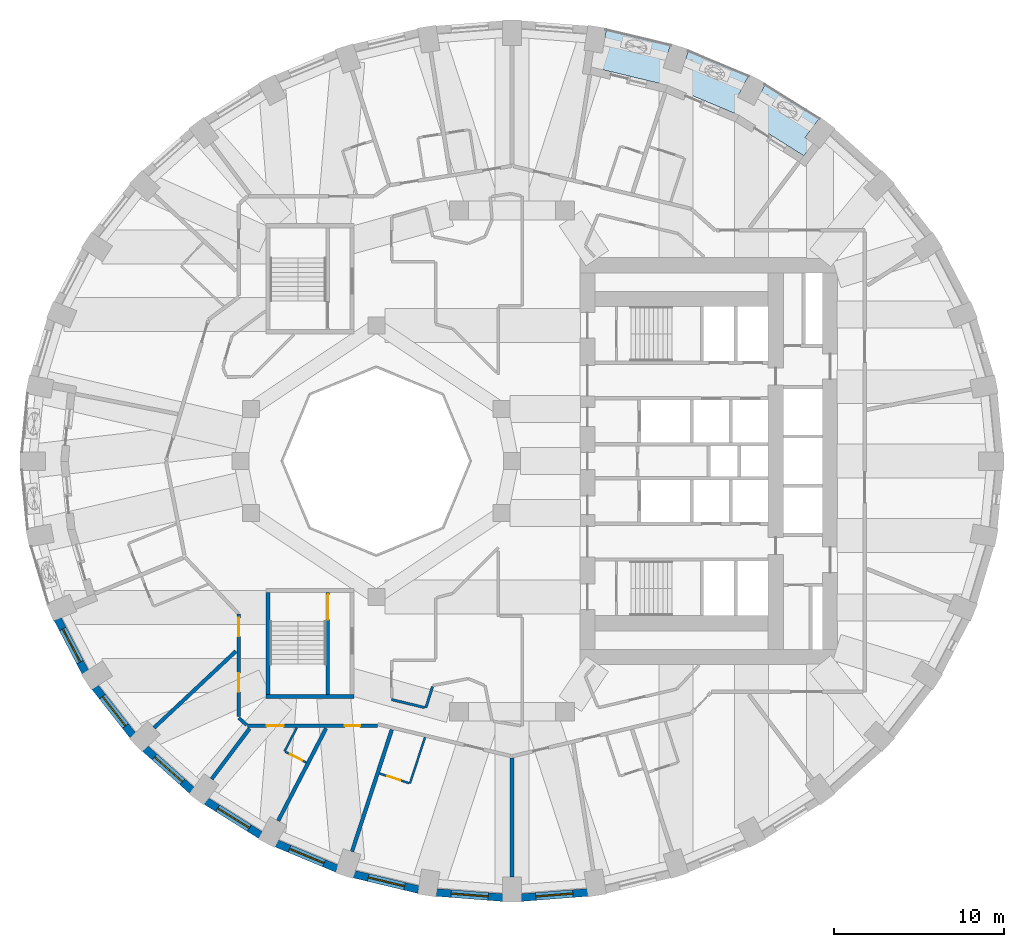
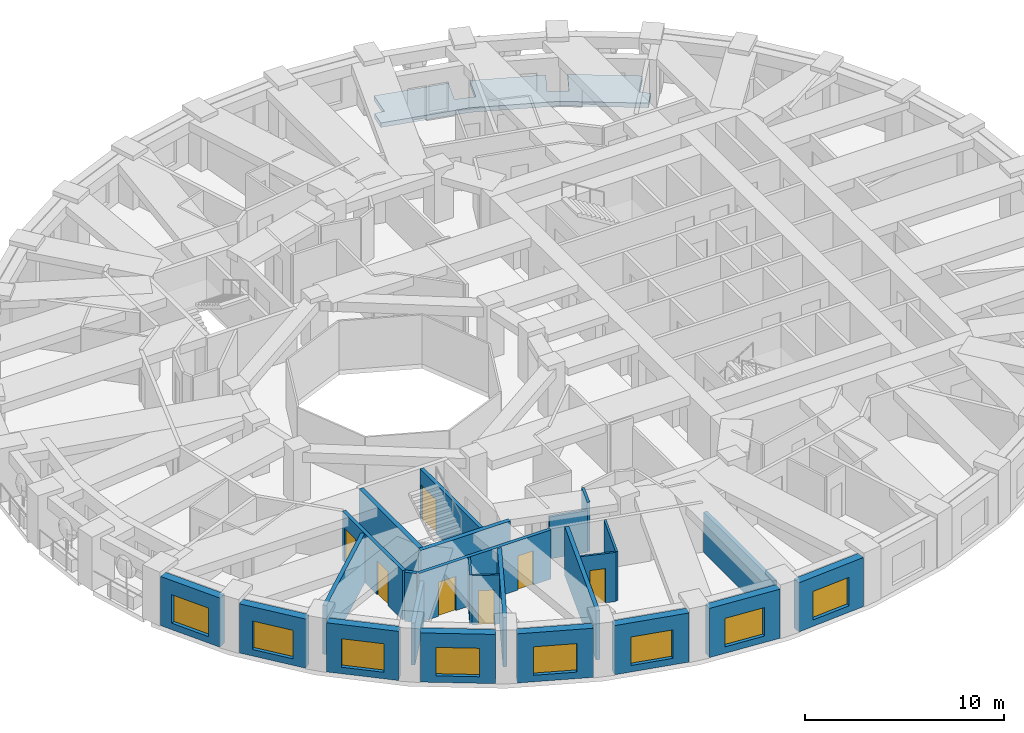
# One storey, part 3 of 14: 25 walls, 8 windows, 7 doors, 1 slab, 15 openings.
"""IFC4 building model written with IfcOpenShell, lengths in metres."""

import ifcopenshell
import ifcopenshell.guid

model = None  # the IFC model being written
_history = None  # IfcOwnerHistory: only IFC2X3 demands one
_inside = {}  # id of a spatial element -> (the spatial element, [elements in it])
_under = {}  # id of a project, library or spatial element -> (it, [spatial elements below it])
_declared = {}  # id of a project -> (the project, [libraries it declares])
_typed = {}  # id of a type object -> (the type object, [elements of that type])
_made_of = {}  # id of a material, layer set ... -> (it, [elements and type objects made of it])


def new_model(schema):
    """Start an empty IFC model of exactly this schema.

    Asked for "IFC4X3", IfcOpenShell would pick the latest addendum, in which some entities
    have other attributes; the version numbers below select the first issue.
    IFC2X3 requires an IfcOwnerHistory on every rooted entity: one is made here for all.
    """
    global model, _history
    if schema == "IFC4X3":
        model = ifcopenshell.file(schema_version=(4, 3, 0, 0))
    else:
        model = ifcopenshell.file(schema=schema)
    _inside.clear()
    _under.clear()
    _declared.clear()
    _typed.clear()
    _made_of.clear()
    _history = None
    if model.schema == "IFC2X3":
        org = make("IfcOrganization", Name="unknown")
        user = make(
            "IfcPersonAndOrganization",
            ThePerson=make("IfcPerson", FamilyName="unknown"),
            TheOrganization=org,
        )
        app = make(
            "IfcApplication",
            ApplicationDeveloper=org,
            Version="unknown",
            ApplicationFullName="unknown",
            ApplicationIdentifier="unknown",
        )
        _history = make(
            "IfcOwnerHistory",
            OwningUser=user,
            OwningApplication=app,
            ChangeAction="ADDED",
            CreationDate=0,
        )
    return model


def make(cls, **values):
    """One entity of the class cls with the attributes given. An attribute that is None is left unset."""
    return model.create_entity(
        cls, **{name: value for name, value in values.items() if value is not None}
    )


def rooted(cls, **values):
    """An entity with a GlobalId (a new one), such as an element, a storey or a relation."""
    return make(cls, GlobalId=ifcopenshell.guid.new(), OwnerHistory=_history, **values)


def si_unit(unit_type, name, prefix=None):
    """IfcSIUnit, for example si_unit("LENGTHUNIT", "METRE", prefix="MILLI")."""
    return make("IfcSIUnit", UnitType=unit_type, Prefix=prefix, Name=name)


def assignment(units):
    """IfcUnitAssignment: the units of a project."""
    return None if units is None else make("IfcUnitAssignment", Units=units)


def point(xyz):
    """IfcCartesianPoint."""
    return None if xyz is None else make("IfcCartesianPoint", Coordinates=xyz)


def direction(xyz):
    """IfcDirection."""
    return None if xyz is None else make("IfcDirection", DirectionRatios=xyz)


def frame(location, z_axis=None, x_axis=None):
    """IfcAxis2Placement3D, a coordinate frame: its origin and axes. An axis left out is left unset."""
    return make(
        "IfcAxis2Placement3D",
        Location=point(location),
        Axis=direction(z_axis),
        RefDirection=direction(x_axis),
    )


def frame_2d(location, x_axis=None):
    """IfcAxis2Placement2D, a coordinate frame in the plane: its origin and x axis."""
    return make(
        "IfcAxis2Placement2D", Location=point(location), RefDirection=direction(x_axis)
    )


def origin():
    """The frame at (0, 0, 0) with its axes left unset."""
    return frame((0.0, 0.0, 0.0))


def place(relative_to, where):
    """IfcLocalPlacement: puts the frame where relative to a parent placement (None: the world)."""
    return make(
        "IfcLocalPlacement", PlacementRelTo=relative_to, RelativePlacement=where
    )


def context(
    kind, dimensions, precision=None, world=None, true_north=None, identifier=None
):
    """IfcGeometricRepresentationContext, for example the 3D "Model" context."""
    return make(
        "IfcGeometricRepresentationContext",
        ContextIdentifier=identifier,
        ContextType=kind,
        CoordinateSpaceDimension=dimensions,
        Precision=precision,
        WorldCoordinateSystem=world,
        TrueNorth=true_north,
    )


def subcontext(parent, identifier, kind, view, scale=None):
    """IfcGeometricRepresentationSubContext, for example "Body" below "Model"."""
    return make(
        "IfcGeometricRepresentationSubContext",
        ContextIdentifier=identifier,
        ContextType=kind,
        ParentContext=parent,
        TargetScale=scale,
        TargetView=view,
    )


def project(units=None, contexts=None):
    """IfcProject with its units and contexts."""
    return rooted(
        "IfcProject",
        Name="project",
        RepresentationContexts=contexts,
        UnitsInContext=assignment(units),
    )


def spatial(cls, under=None, at=None, **own):
    """A site, building, storey or space (cls), placed at a placement, below another one or the project."""
    s = rooted(cls, ObjectPlacement=at, **own)
    if under is not None:
        _under.setdefault(under.id(), (under, []))[1].append(s)
    return s


def polyline(points):
    """IfcPolyline through the points."""
    return make("IfcPolyline", Points=[point(p) for p in points])


def profile(cls, at=None, kind="AREA", **sizes):
    """A parametric profile (cls). Its sizes go by their IFC names, for example OverallWidth=200.0."""
    return make(cls, ProfileType=kind, Position=at, **sizes)


def rectangle(**sizes):
    """IfcRectangleProfileDef."""
    return profile("IfcRectangleProfileDef", **sizes)


def outline(outer, holes=None, kind="AREA"):
    """IfcArbitraryClosedProfileDef: a profile drawn as a closed curve; with holes, ...WithVoids."""
    if holes is None:
        return make("IfcArbitraryClosedProfileDef", ProfileType=kind, OuterCurve=outer)
    return make(
        "IfcArbitraryProfileDefWithVoids",
        ProfileType=kind,
        OuterCurve=outer,
        InnerCurves=holes,
    )


def extrude(swept, where, along, depth):
    """IfcExtrudedAreaSolid: the profile swept, set in the frame where, extruded along a direction by depth."""
    return make(
        "IfcExtrudedAreaSolid",
        SweptArea=swept,
        Position=where,
        ExtrudedDirection=direction(along),
        Depth=depth,
    )


def shape(context_of_items, identifier, shape_type, items):
    """IfcShapeRepresentation: the items that make up one representation, for example the "Body"."""
    return make(
        "IfcShapeRepresentation",
        ContextOfItems=context_of_items,
        RepresentationIdentifier=identifier,
        RepresentationType=shape_type,
        Items=items,
    )


def material(Name=None, Category=None):
    """IfcMaterial."""
    return make("IfcMaterial", Name=Name, Category=Category)


def layer(
    of_material, thickness, ventilated=None, Name=None, Category=None, Priority=None
):
    """IfcMaterialLayer: one layer of a wall or slab, of a material (None: an air gap)."""
    return make(
        "IfcMaterialLayer",
        Material=of_material,
        LayerThickness=thickness,
        IsVentilated=ventilated,
        Name=Name,
        Category=Category,
        Priority=Priority,
    )


def layer_set(layers, Name=None):
    """IfcMaterialLayerSet."""
    return make("IfcMaterialLayerSet", MaterialLayers=layers, LayerSetName=Name)


def made_of(thing, what):
    """Note that an element or type object is made of a material, layer set ...; save() writes the relation."""
    if what is not None:
        _made_of.setdefault(what.id(), (what, []))[1].append(thing)
    return thing


def type_object(cls, material=None, **own):
    """A type object (cls), such as IfcWallType, which elements share."""
    return made_of(rooted(cls, **own), material)


def element(
    cls,
    number,
    at=None,
    inside=None,
    cuts=None,
    type_object=None,
    material=None,
    context=None,
    identifier="Body",
    shape_type=None,
    held_by="IfcProductDefinitionShape",
    body=None,
    shapes=None,
    **own,
):
    """One element of the class cls, such as IfcWall. Its Tag is "e" and its number.

    at: its placement. inside: the storey or other place that contains it. cuts: it is an
    opening in that element (IfcRelVoidsElement). A single representation is given by context,
    identifier, shape_type and body (its items); several are given by shapes. held_by: the class
    of the entity that holds the representations. save() writes the other relations.
    """
    e = rooted(cls, Tag="e%d" % number, ObjectPlacement=at, **own)
    if body is not None:
        shapes = [shape(context, identifier, shape_type, body)]
    if shapes is not None:
        e.Representation = make(held_by, Representations=shapes)
    if inside is not None:
        _inside.setdefault(inside.id(), (inside, []))[1].append(e)
    if cuts is not None:
        rooted(
            "IfcRelVoidsElement", RelatingBuildingElement=cuts, RelatedOpeningElement=e
        )
    if type_object is not None:
        _typed.setdefault(type_object.id(), (type_object, []))[1].append(e)
    return made_of(e, material)


def fill(opening, filler):
    """IfcRelFillsElement: the door or window that sits in an opening."""
    return rooted(
        "IfcRelFillsElement",
        RelatingOpeningElement=opening,
        RelatedBuildingElement=filler,
    )


def aggregate(whole, parts):
    """IfcRelAggregates: a whole, such as a stair, and the parts it consists of."""
    return rooted("IfcRelAggregates", RelatingObject=whole, RelatedObjects=parts)


def save(model, path):
    """Write the relations noted so far, then the file.

    IfcRelAggregates (storeys below a building ...), IfcRelContainedInSpatialStructure (elements
    in a storey), IfcRelDefinesByType, IfcRelAssociatesMaterial and IfcRelDeclares: one each for
    every whole, place, type object, material and project.
    """
    for whole, parts in _under.values():
        aggregate(whole, parts)
    for where, things in _inside.values():
        rooted(
            "IfcRelContainedInSpatialStructure",
            RelatedElements=things,
            RelatingStructure=where,
        )
    for kind, things in _typed.values():
        rooted("IfcRelDefinesByType", RelatedObjects=things, RelatingType=kind)
    for what, things in _made_of.values():
        rooted("IfcRelAssociatesMaterial", RelatedObjects=things, RelatingMaterial=what)
    for by, libraries in _declared.values():
        rooted("IfcRelDeclares", RelatingContext=by, RelatedDefinitions=libraries)
    model.write(path)


model = new_model("IFC4")

# Units and contexts
model_context = context("Model", 3, precision=1e-05, world=origin(), true_north=direction((0.0, 1.0)))
body_context = subcontext(model_context, "Body", "Model", "MODEL_VIEW")
ifc_project = project(units=[si_unit("LENGTHUNIT", "METRE"), si_unit("AREAUNIT", "SQUARE_METRE"), si_unit("VOLUMEUNIT", "CUBIC_METRE"), si_unit("PLANEANGLEUNIT", "RADIAN"), si_unit("MASSUNIT", "GRAM", prefix="KILO")], contexts=[model_context])

# Site, building, storey
site_placement = place(None, origin())
site = spatial("IfcSite", under=ifc_project, at=site_placement, CompositionType="ELEMENT")
building_placement = place(site_placement, origin())
building = spatial("IfcBuilding", under=site, at=building_placement, Name="Taillehof Tower", CompositionType="ELEMENT")
storey_placement = place(building_placement, frame((0.0, 0.0, 21.699951171875)))
storey = spatial("IfcBuildingStorey", under=building, at=storey_placement, Name="L04", CompositionType="ELEMENT", Elevation=21.699951171875)

# Slab
ifc_material_1 = material(Name="Concrete C40/50", Category="concrete")
ifc_layer_1 = layer(ifc_material_1, 0.280029296875)
ifc_layer_set_1 = layer_set([ifc_layer_1], Name="Balcony slab 280")
slab_type = type_object("IfcSlabType", Name="Balcony slab 280", PredefinedType="USERDEFINED", material=ifc_layer_set_1)
slab_placement = place(storey_placement, frame((0.0, 0.0, -0.280029296875)))
element("IfcSlab", 1, at=slab_placement, inside=storey, type_object=slab_type, Name="Balcony L04 pocket 1", ObjectType="BALCONY", PredefinedType="USERDEFINED", context=body_context, shape_type="SweptSolid", body=[
    extrude(outline(polyline([(4.6611328125, 23.234375), (4.801513671875, 24.12353515625), (5.331787109375, 24.039794921875), (5.559326171875, 25.479248046875), (9.357421875, 24.56689453125), (8.906494140625, 23.184814453125), (9.9521484375, 22.843505859375), (10.404296875, 24.22900390625), (13.958984375, 22.742919921875), (13.291748046875, 21.453857421875), (14.2685546875, 20.9482421875), (14.938232421875, 22.24169921875), (18.139404296875, 20.23193359375), (17.268310546875, 19.073974609375), (17.73974609375, 18.71923828125), (17.197998046875, 17.999267578125), (13.396728515625, 20.38525390625), (9.174072265625, 22.150390625), (4.6611328125, 23.234375)])), origin(), (0.0, 0.0, 1.0), 0.280029296875),
])

# Wall, opening, window
ifc_material_2 = material(Name="Brick masonry", Category="masonry")
ifc_layer_2 = layer(ifc_material_2, 0.449951171875)
ifc_layer_set_2 = layer_set([ifc_layer_2], Name="Brick infill wall 450")
wall_type_1 = type_object("IfcWallType", Name="Brick infill wall 450", PredefinedType="SOLIDWALL", material=ifc_layer_set_2)
wall_1_placement = place(storey_placement, frame((-26.78564453125, -9.30517578125, 0.0), z_axis=(0.0, 0.0, 1.0), x_axis=(0.462492775226, -0.886623050041, 0.0)))
wall_1 = element("IfcWall", 2, at=wall_1_placement, inside=storey, type_object=wall_type_1, Name="Brick wall L04 bay 21", PredefinedType="SOLIDWALL", context=body_context, shape_type="SweptSolid", body=[
    extrude(rectangle(XDim=3.531982421875, YDim=0.449951171875, at=frame_2d((1.76611328125, 0.0))), origin(), (0.0, 0.0, 1.0), 3.02001953125),
])
opening_1_placement = place(wall_1_placement, frame((0.666015625, 0.0, 0.39990234375)))
opening_1 = element("IfcOpeningElement", 3, at=opening_1_placement, cuts=wall_1, Name="Opening W1", PredefinedType="OPENING", context=body_context, shape_type="SweptSolid", body=[
    extrude(rectangle(XDim=2.199951171875, YDim=1.75, at=frame_2d((1.10009765625, 0.875))), frame((0.0, 0.23486328125, 0.0), z_axis=(0.0, -1.0, 0.0), x_axis=(1.0, 0.0, 0.0)), (0.0, 0.0, 1.0), 0.469970703125),
])
ifc_material_3 = material(Name="Aluminium window frame with clear double glazing", Category="aluminium")
window_type = type_object("IfcWindowType", Name="Deep-set window 2200x1750", PartitioningType="SINGLE_PANEL", PredefinedType="WINDOW", material=ifc_material_3)
window_1_placement = place(opening_1_placement, origin())
window_1 = element("IfcWindow", 4, at=window_1_placement, inside=storey, type_object=window_type, Name="W1", OverallHeight=1.75, OverallWidth=2.199951171875, PartitioningType="SINGLE_PANEL", PredefinedType="WINDOW", context=body_context, shape_type="SweptSolid", body=[
    extrude(rectangle(XDim=2.199951171875, YDim=1.75, at=frame_2d((1.10009765625, 0.875))), frame((0.0, 0.034912109375, 0.0), z_axis=(0.0, -1.0, 0.0), x_axis=(1.0, 0.0, 0.0)), (0.0, 0.0, 1.0), 0.06005859375),
])
fill(opening_1, window_1)

wall_2_placement = place(storey_placement, frame((-24.57763671875, -13.327880859375, 0.0), z_axis=(0.0, 0.0, 1.0), x_axis=(0.616661975264, -0.787228053529, 0.0)))
wall_2 = element("IfcWall", 5, at=wall_2_placement, inside=storey, type_object=wall_type_1, Name="Brick wall L04 bay 22", PredefinedType="SOLIDWALL", context=body_context, shape_type="SweptSolid", body=[
    extrude(rectangle(XDim=3.60986328125, YDim=0.449951171875, at=frame_2d((1.804931640625, 0.0))), origin(), (0.0, 0.0, 1.0), 3.02001953125),
])
opening_2_placement = place(wall_2_placement, frame((0.704833984375, 0.0, 0.39990234375)))
opening_2 = element("IfcOpeningElement", 6, at=opening_2_placement, cuts=wall_2, Name="Opening W1", PredefinedType="OPENING", context=body_context, shape_type="SweptSolid", body=[
    extrude(rectangle(XDim=2.199951171875, YDim=1.75, at=frame_2d((1.10009765625, 0.875))), frame((0.0, 0.23486328125, 0.0), z_axis=(0.0, -1.0, 0.0), x_axis=(1.0, 0.0, 0.0)), (0.0, 0.0, 1.0), 0.469970703125),
])
window_2_placement = place(opening_2_placement, origin())
window_2 = element("IfcWindow", 7, at=window_2_placement, inside=storey, type_object=window_type, Name="W1", OverallHeight=1.75, OverallWidth=2.199951171875, PartitioningType="SINGLE_PANEL", PredefinedType="WINDOW", context=body_context, shape_type="SweptSolid", body=[
    extrude(rectangle(XDim=2.199951171875, YDim=1.75, at=frame_2d((1.10009765625, 0.875))), frame((0.0, 0.034912109375, 0.0), z_axis=(0.0, -1.0, 0.0), x_axis=(1.0, 0.0, 0.0)), (0.0, 0.0, 1.0), 0.06005859375),
])
fill(opening_2, window_2)

wall_3_placement = place(storey_placement, frame((-21.626708984375, -16.943115234375, 0.0), z_axis=(0.0, 0.0, 1.0), x_axis=(0.745526233716, -0.66647628228, 0.0)))
wall_3 = element("IfcWall", 8, at=wall_3_placement, inside=storey, type_object=wall_type_1, Name="Brick wall L04 bay 23", PredefinedType="SOLIDWALL", context=body_context, shape_type="SweptSolid", body=[
    extrude(rectangle(XDim=3.69677734375, YDim=0.449951171875, at=frame_2d((1.848388671875, 0.0))), origin(), (0.0, 0.0, 1.0), 3.02001953125),
])
opening_3_placement = place(wall_3_placement, frame((0.74853515625, 0.0, 0.39990234375)))
opening_3 = element("IfcOpeningElement", 9, at=opening_3_placement, cuts=wall_3, Name="Opening W1", PredefinedType="OPENING", context=body_context, shape_type="SweptSolid", body=[
    extrude(rectangle(XDim=2.199951171875, YDim=1.75, at=frame_2d((1.10009765625, 0.875))), frame((0.0, 0.23486328125, 0.0), z_axis=(0.0, -1.0, 0.0), x_axis=(1.0, 0.0, 0.0)), (0.0, 0.0, 1.0), 0.469970703125),
])
window_3_placement = place(opening_3_placement, origin())
window_3 = element("IfcWindow", 10, at=window_3_placement, inside=storey, type_object=window_type, Name="W1", OverallHeight=1.75, OverallWidth=2.199951171875, PartitioningType="SINGLE_PANEL", PredefinedType="WINDOW", context=body_context, shape_type="SweptSolid", body=[
    extrude(rectangle(XDim=2.199951171875, YDim=1.75, at=frame_2d((1.10009765625, 0.875))), frame((0.0, 0.034912109375, 0.0), z_axis=(0.0, -1.0, 0.0), x_axis=(1.0, 0.0, 0.0)), (0.0, 0.0, 1.0), 0.06005859375),
])
fill(opening_3, window_3)

wall_4_placement = place(storey_placement, frame((-18.02294921875, -20.043701171875, 0.0), z_axis=(0.0, 0.0, 1.0), x_axis=(0.847635480093, -0.530579016629, 0.0)))
wall_4 = element("IfcWall", 11, at=wall_4_placement, inside=storey, type_object=wall_type_1, Name="Brick wall L04 bay 24", PredefinedType="SOLIDWALL", context=body_context, shape_type="SweptSolid", body=[
    extrude(rectangle(XDim=3.782470703125, YDim=0.449951171875, at=frame_2d((1.89111328125, 0.0))), origin(), (0.0, 0.0, 1.0), 3.02001953125),
])
opening_4_placement = place(wall_4_placement, frame((0.791259765625, 0.0, 0.39990234375)))
opening_4 = element("IfcOpeningElement", 12, at=opening_4_placement, cuts=wall_4, Name="Opening W1", PredefinedType="OPENING", context=body_context, shape_type="SweptSolid", body=[
    extrude(rectangle(XDim=2.199951171875, YDim=1.75, at=frame_2d((1.10009765625, 0.875))), frame((0.0, 0.23486328125, 0.0), z_axis=(0.0, -1.0, 0.0), x_axis=(1.0, 0.0, 0.0)), (0.0, 0.0, 1.0), 0.469970703125),
])
window_4_placement = place(opening_4_placement, origin())
window_4 = element("IfcWindow", 13, at=window_4_placement, inside=storey, type_object=window_type, Name="W1", OverallHeight=1.75, OverallWidth=2.199951171875, PartitioningType="SINGLE_PANEL", PredefinedType="WINDOW", context=body_context, shape_type="SweptSolid", body=[
    extrude(rectangle(XDim=2.199951171875, YDim=1.75, at=frame_2d((1.10009765625, 0.875))), frame((0.0, 0.034912109375, 0.0), z_axis=(0.0, -1.0, 0.0), x_axis=(1.0, 0.0, 0.0)), (0.0, 0.0, 1.0), 0.06005859375),
])
fill(opening_4, window_4)

wall_5_placement = place(storey_placement, frame((-13.875, -22.537353515625, 0.0), z_axis=(0.0, 0.0, 1.0), x_axis=(0.923031964282, -0.384723267966, 0.0)))
wall_5 = element("IfcWall", 14, at=wall_5_placement, inside=storey, type_object=wall_type_1, Name="Brick wall L04 bay 25", PredefinedType="SOLIDWALL", context=body_context, shape_type="SweptSolid", body=[
    extrude(rectangle(XDim=3.8564453125, YDim=0.449951171875, at=frame_2d((1.92822265625, 0.0))), origin(), (0.0, 0.0, 1.0), 3.02001953125),
])
opening_5_placement = place(wall_5_placement, frame((0.828125, 0.0, 0.39990234375)))
opening_5 = element("IfcOpeningElement", 15, at=opening_5_placement, cuts=wall_5, Name="Opening W1", PredefinedType="OPENING", context=body_context, shape_type="SweptSolid", body=[
    extrude(rectangle(XDim=2.199951171875, YDim=1.75, at=frame_2d((1.10009765625, 0.875))), frame((0.0, 0.23486328125, 0.0), z_axis=(0.0, -1.0, 0.0), x_axis=(1.0, 0.0, 0.0)), (0.0, 0.0, 1.0), 0.469970703125),
])
window_5_placement = place(opening_5_placement, origin())
window_5 = element("IfcWindow", 16, at=window_5_placement, inside=storey, type_object=window_type, Name="W1", OverallHeight=1.75, OverallWidth=2.199951171875, PartitioningType="SINGLE_PANEL", PredefinedType="WINDOW", context=body_context, shape_type="SweptSolid", body=[
    extrude(rectangle(XDim=2.199951171875, YDim=1.75, at=frame_2d((1.10009765625, 0.875))), frame((0.0, 0.034912109375, 0.0), z_axis=(0.0, -1.0, 0.0), x_axis=(1.0, 0.0, 0.0)), (0.0, 0.0, 1.0), 0.06005859375),
])
fill(opening_5, window_5)

wall_6_placement = place(storey_placement, frame((-9.3076171875, -24.349609375, 0.0), z_axis=(0.0, 0.0, 1.0), x_axis=(0.972496561493, -0.232917233979, 0.0)))
wall_6 = element("IfcWall", 17, at=wall_6_placement, inside=storey, type_object=wall_type_1, Name="Brick wall L04 bay 26", PredefinedType="SOLIDWALL", context=body_context, shape_type="SweptSolid", body=[
    extrude(rectangle(XDim=3.910888671875, YDim=0.449951171875, at=frame_2d((1.95556640625, 0.0))), origin(), (0.0, 0.0, 1.0), 3.02001953125),
])
opening_6_placement = place(wall_6_placement, frame((0.855224609375, 0.0, 0.39990234375)))
opening_6 = element("IfcOpeningElement", 18, at=opening_6_placement, cuts=wall_6, Name="Opening W1", PredefinedType="OPENING", context=body_context, shape_type="SweptSolid", body=[
    extrude(rectangle(XDim=2.199951171875, YDim=1.75, at=frame_2d((1.10009765625, 0.875))), frame((0.0, 0.23486328125, 0.0), z_axis=(0.0, -1.0, 0.0), x_axis=(1.0, 0.0, 0.0)), (0.0, 0.0, 1.0), 0.469970703125),
])
window_6_placement = place(opening_6_placement, origin())
window_6 = element("IfcWindow", 19, at=window_6_placement, inside=storey, type_object=window_type, Name="W1", OverallHeight=1.75, OverallWidth=2.199951171875, PartitioningType="SINGLE_PANEL", PredefinedType="WINDOW", context=body_context, shape_type="SweptSolid", body=[
    extrude(rectangle(XDim=2.199951171875, YDim=1.75, at=frame_2d((1.10009765625, 0.875))), frame((0.0, 0.034912109375, 0.0), z_axis=(0.0, -1.0, 0.0), x_axis=(1.0, 0.0, 0.0)), (0.0, 0.0, 1.0), 0.06005859375),
])
fill(opening_6, window_6)

wall_7_placement = place(storey_placement, frame((-4.457275390625, -25.42578125, 0.0), z_axis=(0.0, 0.0, 1.0), x_axis=(0.996955972145, -0.077966592873, 0.0)))
wall_7 = element("IfcWall", 20, at=wall_7_placement, inside=storey, type_object=wall_type_1, Name="Brick wall L04 bay 27", PredefinedType="SOLIDWALL", context=body_context, shape_type="SweptSolid", body=[
    extrude(rectangle(XDim=3.939208984375, YDim=0.449951171875, at=frame_2d((1.9697265625, 0.0))), origin(), (0.0, 0.0, 1.0), 3.02001953125),
])
opening_7_placement = place(wall_7_placement, frame((0.86962890625, 0.0, 0.39990234375)))
opening_7 = element("IfcOpeningElement", 21, at=opening_7_placement, cuts=wall_7, Name="Opening W1", PredefinedType="OPENING", context=body_context, shape_type="SweptSolid", body=[
    extrude(rectangle(XDim=2.199951171875, YDim=1.75, at=frame_2d((1.10009765625, 0.875))), frame((0.0, 0.23486328125, 0.0), z_axis=(0.0, -1.0, 0.0), x_axis=(1.0, 0.0, 0.0)), (0.0, 0.0, 1.0), 0.469970703125),
])
window_7_placement = place(opening_7_placement, origin())
window_7 = element("IfcWindow", 22, at=window_7_placement, inside=storey, type_object=window_type, Name="W1", OverallHeight=1.75, OverallWidth=2.199951171875, PartitioningType="SINGLE_PANEL", PredefinedType="WINDOW", context=body_context, shape_type="SweptSolid", body=[
    extrude(rectangle(XDim=2.199951171875, YDim=1.75, at=frame_2d((1.10009765625, 0.875))), frame((0.0, 0.034912109375, 0.0), z_axis=(0.0, -1.0, 0.0), x_axis=(1.0, 0.0, 0.0)), (0.0, 0.0, 1.0), 0.06005859375),
])
fill(opening_7, window_7)

wall_8_placement = place(storey_placement, frame((0.530029296875, -25.73291015625, 0.0), z_axis=(0.0, 0.0, 1.0), x_axis=(0.996955972145, 0.077966592873, 0.0)))
wall_8 = element("IfcWall", 23, at=wall_8_placement, inside=storey, type_object=wall_type_1, Name="Brick wall L04 bay 28", PredefinedType="SOLIDWALL", context=body_context, shape_type="SweptSolid", body=[
    extrude(rectangle(XDim=3.939208984375, YDim=0.449951171875, at=frame_2d((1.9697265625, 0.0))), origin(), (0.0, 0.0, 1.0), 3.02001953125),
])
opening_8_placement = place(wall_8_placement, frame((0.86962890625, 0.0, 0.39990234375)))
opening_8 = element("IfcOpeningElement", 24, at=opening_8_placement, cuts=wall_8, Name="Opening W1", PredefinedType="OPENING", context=body_context, shape_type="SweptSolid", body=[
    extrude(rectangle(XDim=2.199951171875, YDim=1.75, at=frame_2d((1.10009765625, 0.875))), frame((0.0, 0.23486328125, 0.0), z_axis=(0.0, -1.0, 0.0), x_axis=(1.0, 0.0, 0.0)), (0.0, 0.0, 1.0), 0.469970703125),
])
window_8_placement = place(opening_8_placement, origin())
window_8 = element("IfcWindow", 25, at=window_8_placement, inside=storey, type_object=window_type, Name="W1", OverallHeight=1.75, OverallWidth=2.199951171875, PartitioningType="SINGLE_PANEL", PredefinedType="WINDOW", context=body_context, shape_type="SweptSolid", body=[
    extrude(rectangle(XDim=2.199951171875, YDim=1.75, at=frame_2d((1.10009765625, 0.875))), frame((0.0, 0.034912109375, 0.0), z_axis=(0.0, -1.0, 0.0), x_axis=(1.0, 0.0, 0.0)), (0.0, 0.0, 1.0), 0.06005859375),
])
fill(opening_8, window_8)

# Wall, openings, doors
ifc_material_4 = material(Name="Gypsum board on steel studs, two layers each side", Category="steel")
ifc_layer_3 = layer(ifc_material_4, 0.199951171875)
ifc_layer_set_3 = layer_set([ifc_layer_3], Name="Compartment wall corridor 200")
wall_type_2 = type_object("IfcWallType", Name="Compartment wall corridor 200", PredefinedType="PARTITIONING", material=ifc_layer_set_3)
wall_9_placement = place(storey_placement, frame((-7.919921875, -15.60009765625, 0.0), z_axis=(0.0, 0.0, 1.0), x_axis=(-1.0, 0.0, 0.0)))
wall_9 = element("IfcWall", 26, at=wall_9_placement, inside=storey, type_object=wall_type_2, Name="Compartment wall", PredefinedType="PARTITIONING", context=body_context, shape_type="SweptSolid", body=[
    extrude(rectangle(XDim=7.671630859375, YDim=0.199951171875, at=frame_2d((3.8359375, 0.0))), origin(), (0.0, 0.0, 1.0), 3.02001953125),
])
opening_9_placement = place(wall_9_placement, frame((5.537353515625, 0.0, 0.0)))
opening_9 = element("IfcOpeningElement", 27, at=opening_9_placement, cuts=wall_9, Name="Opening D0459", PredefinedType="OPENING", context=body_context, shape_type="SweptSolid", body=[
    extrude(rectangle(XDim=1.0, YDim=2.10009765625, at=frame_2d((0.5, 1.050048828125))), frame((0.0, 0.10986328125, 0.0), z_axis=(0.0, -1.0, 0.0), x_axis=(1.0, 0.0, 0.0)), (0.0, 0.0, 1.0), 0.219970703125),
])
opening_10_placement = place(wall_9_placement, frame((1.0361328125, 0.0, 0.0)))
opening_10 = element("IfcOpeningElement", 28, at=opening_10_placement, cuts=wall_9, Name="Opening D0461", PredefinedType="OPENING", context=body_context, shape_type="SweptSolid", body=[
    extrude(rectangle(XDim=0.89990234375, YDim=2.10009765625, at=frame_2d((0.449951171875, 1.050048828125))), frame((0.0, 0.10986328125, 0.0), z_axis=(0.0, -1.0, 0.0), x_axis=(1.0, 0.0, 0.0)), (0.0, 0.0, 1.0), 0.219970703125),
])
ifc_material_5 = material(Name="Timber door leaf in steel frame", Category="steel")
door_type_1 = type_object("IfcDoorType", Name="Guest room door EI 30 1000 x 2100", OperationType="SINGLE_SWING_LEFT", PredefinedType="DOOR", material=ifc_material_5)
door_1_placement = place(opening_9_placement, origin())
door_1 = element("IfcDoor", 29, at=door_1_placement, inside=storey, type_object=door_type_1, Name="D0459", OperationType="SINGLE_SWING_LEFT", OverallHeight=2.10009765625, OverallWidth=1.0, PredefinedType="DOOR", context=body_context, shape_type="SweptSolid", body=[
    extrude(rectangle(XDim=1.0, YDim=2.10009765625, at=frame_2d((0.5, 1.050048828125))), frame((0.0, 0.02490234375, 0.0), z_axis=(0.0, -1.0, 0.0), x_axis=(1.0, 0.0, 0.0)), (0.0, 0.0, 1.0), 0.050048828125),
])
fill(opening_9, door_1)
ifc_material_6 = material(Name="Timber door leaf in steel frame", Category="steel")
door_type_2 = type_object("IfcDoorType", Name="Service room door EI 30 900 x 2100", OperationType="SINGLE_SWING_LEFT", PredefinedType="DOOR", material=ifc_material_6)
door_2_placement = place(opening_10_placement, origin())
door_2 = element("IfcDoor", 30, at=door_2_placement, inside=storey, type_object=door_type_2, Name="D0461", OperationType="SINGLE_SWING_RIGHT", OverallHeight=2.10009765625, OverallWidth=0.89990234375, PredefinedType="DOOR", context=body_context, shape_type="SweptSolid", body=[
    extrude(rectangle(XDim=0.89990234375, YDim=2.10009765625, at=frame_2d((0.449951171875, 1.050048828125))), frame((0.0, 0.02490234375, 0.0), z_axis=(0.0, -1.0, 0.0), x_axis=(1.0, 0.0, 0.0)), (0.0, 0.0, 1.0), 0.050048828125),
])
fill(opening_10, door_2)

# Wall
wall_10_placement = place(storey_placement, frame((-15.63623046875, -15.559814453125, 0.0), z_axis=(0.0, 0.0, 1.0), x_axis=(-0.744656758283, 0.667447610187, 0.0)))
element("IfcWall", 31, at=wall_10_placement, inside=storey, type_object=wall_type_2, Name="Compartment wall", PredefinedType="PARTITIONING", context=body_context, shape_type="SweptSolid", body=[
    extrude(rectangle(XDim=0.623046875, YDim=0.199951171875, at=frame_2d((0.3115234375, 0.0))), origin(), (0.0, 0.0, 1.0), 3.02001953125),
])

# Wall, openings, doors
wall_11_placement = place(storey_placement, frame((-16.10009765625, -15.06396484375, 0.0), z_axis=(0.0, 0.0, 1.0), x_axis=(0.0, 1.0, 0.0)))
wall_11 = element("IfcWall", 32, at=wall_11_placement, inside=storey, type_object=wall_type_2, Name="Compartment wall", PredefinedType="PARTITIONING", context=body_context, shape_type="SweptSolid", body=[
    extrude(rectangle(XDim=6.046875, YDim=0.199951171875, at=frame_2d((3.0234375, 0.0))), origin(), (0.0, 0.0, 1.0), 3.02001953125),
])
opening_11_placement = place(wall_11_placement, frame((4.726806640625, 0.0, 0.0)))
opening_11 = element("IfcOpeningElement", 33, at=opening_11_placement, cuts=wall_11, Name="Opening D0456", PredefinedType="OPENING", context=body_context, shape_type="SweptSolid", body=[
    extrude(rectangle(XDim=1.10009765625, YDim=2.10009765625, at=frame_2d((0.550048828125, 1.050048828125))), frame((0.0, 0.10986328125, 0.0), z_axis=(0.0, -1.0, 0.0), x_axis=(1.0, 0.0, 0.0)), (0.0, 0.0, 1.0), 0.219970703125),
])
opening_12_placement = place(wall_11_placement, frame((1.466552734375, 0.0, 0.0)))
opening_12 = element("IfcOpeningElement", 34, at=opening_12_placement, cuts=wall_11, Name="Opening D0458", PredefinedType="OPENING", context=body_context, shape_type="SweptSolid", body=[
    extrude(rectangle(XDim=1.10009765625, YDim=2.10009765625, at=frame_2d((0.550048828125, 1.050048828125))), frame((0.0, 0.10986328125, 0.0), z_axis=(0.0, -1.0, 0.0), x_axis=(1.0, 0.0, 0.0)), (0.0, 0.0, 1.0), 0.219970703125),
])
ifc_material_7 = material(Name="Timber door leaf in steel frame", Category="steel")
door_type_3 = type_object("IfcDoorType", Name="Suite entrance door EI 30 1100 x 2100", OperationType="SINGLE_SWING_LEFT", PredefinedType="DOOR", material=ifc_material_7)
door_3_placement = place(opening_11_placement, origin())
door_3 = element("IfcDoor", 35, at=door_3_placement, inside=storey, type_object=door_type_3, Name="D0456", OperationType="SINGLE_SWING_RIGHT", OverallHeight=2.10009765625, OverallWidth=1.10009765625, PredefinedType="DOOR", context=body_context, shape_type="SweptSolid", body=[
    extrude(rectangle(XDim=1.10009765625, YDim=2.10009765625, at=frame_2d((0.550048828125, 1.050048828125))), frame((0.0, 0.02490234375, 0.0), z_axis=(0.0, -1.0, 0.0), x_axis=(1.0, 0.0, 0.0)), (0.0, 0.0, 1.0), 0.050048828125),
])
fill(opening_11, door_3)
door_4_placement = place(opening_12_placement, origin())
door_4 = element("IfcDoor", 36, at=door_4_placement, inside=storey, type_object=door_type_3, Name="D0458", OperationType="SINGLE_SWING_RIGHT", OverallHeight=2.10009765625, OverallWidth=1.10009765625, PredefinedType="DOOR", context=body_context, shape_type="SweptSolid", body=[
    extrude(rectangle(XDim=1.10009765625, YDim=2.10009765625, at=frame_2d((0.550048828125, 1.050048828125))), frame((0.0, 0.02490234375, 0.0), z_axis=(0.0, -1.0, 0.0), x_axis=(1.0, 0.0, 0.0)), (0.0, 0.0, 1.0), 0.050048828125),
])
fill(opening_12, door_4)

# Walls
ifc_material_8 = material(Name="Gypsum board on double steel studs with mineral wool", Category="steel")
ifc_layer_4 = layer(ifc_material_8, 0.219970703125)
ifc_layer_set_4 = layer_set([ifc_layer_4], Name="Compartment wall guest room 220")
wall_type_3 = type_object("IfcWallType", Name="Compartment wall guest room 220", PredefinedType="PARTITIONING", material=ifc_layer_set_4)
wall_12_placement = place(storey_placement, frame((-21.09326171875, -15.7177734375, 0.0), z_axis=(0.0, 0.0, 1.0), x_axis=(0.73009284205, 0.683347965525, 0.0)))
element("IfcWall", 37, at=wall_12_placement, inside=storey, type_object=wall_type_3, Name="Compartment wall", PredefinedType="PARTITIONING", context=body_context, shape_type="SweptSolid", body=[
    extrude(rectangle(XDim=6.6015625, YDim=0.219970703125, at=frame_2d((3.30078125, 0.0))), origin(), (0.0, 0.0, 1.0), 3.02001953125),
])
wall_13_placement = place(storey_placement, frame((-17.707763671875, -18.7431640625, 0.0), z_axis=(0.0, 0.0, 1.0), x_axis=(0.601172757903, 0.799119086967, 0.0)))
element("IfcWall", 38, at=wall_13_placement, inside=storey, type_object=wall_type_3, Name="Compartment wall", PredefinedType="PARTITIONING", context=body_context, shape_type="SweptSolid", body=[
    extrude(rectangle(XDim=3.728515625, YDim=0.219970703125, at=frame_2d((1.8642578125, 0.0))), origin(), (0.0, 0.0, 1.0), 2.570068359375),
])
wall_14_placement = place(storey_placement, frame((-13.7802734375, -21.201171875, 0.0), z_axis=(0.0, 0.0, 1.0), x_axis=(0.459699000582, 0.888074787878, 0.0)))
element("IfcWall", 39, at=wall_14_placement, inside=storey, type_object=wall_type_3, Name="Compartment wall", PredefinedType="PARTITIONING", context=body_context, shape_type="SweptSolid", body=[
    extrude(rectangle(XDim=6.134033203125, YDim=0.219970703125, at=frame_2d((3.06689453125, 0.0))), origin(), (0.0, 0.0, 1.0), 3.02001953125),
])
wall_15_placement = place(storey_placement, frame((-9.429443359375, -23.01416015625, 0.0), z_axis=(0.0, 0.0, 1.0), x_axis=(0.310261176215, 0.950651356983, 0.0)))
element("IfcWall", 40, at=wall_15_placement, inside=storey, type_object=wall_type_3, Name="Compartment wall", PredefinedType="PARTITIONING", context=body_context, shape_type="SweptSolid", body=[
    extrude(rectangle(XDim=7.557373046875, YDim=0.219970703125, at=frame_2d((3.77880859375, 0.0))), origin(), (0.0, 0.0, 1.0), 3.02001953125),
])
wall_16_placement = place(storey_placement, frame((0.0, -24.5, 0.0), z_axis=(0.0, 0.0, 1.0), x_axis=(0.0, 1.0, 0.0)))
element("IfcWall", 41, at=wall_16_placement, inside=storey, type_object=wall_type_3, Name="Compartment wall", PredefinedType="PARTITIONING", context=body_context, shape_type="SweptSolid", body=[
    extrude(rectangle(XDim=7.0, YDim=0.219970703125, at=frame_2d((3.5, 0.0))), origin(), (0.0, 0.0, 1.0), 2.469970703125),
])
ifc_material_9 = material(Name="Gypsum board on steel studs, two layers each side", Category="steel")
ifc_layer_5 = layer(ifc_material_9, 0.14990234375)
ifc_layer_set_5 = layer_set([ifc_layer_5], Name="Compartment wall service room 150")
wall_type_4 = type_object("IfcWallType", Name="Compartment wall service room 150", PredefinedType="PARTITIONING", material=ifc_layer_set_5)
wall_17_placement = place(storey_placement, frame((-4.683349609375, -13.289306640625, 0.0), z_axis=(0.0, 0.0, 1.0), x_axis=(-0.298931613931, -0.954274536071, 0.0)))
element("IfcWall", 42, at=wall_17_placement, inside=storey, type_object=wall_type_4, Name="Compartment wall", PredefinedType="PARTITIONING", context=body_context, shape_type="SweptSolid", body=[
    extrude(rectangle(XDim=1.3125, YDim=0.14990234375, at=frame_2d((0.65625, 0.0))), origin(), (0.0, 0.0, 1.0), 3.02001953125),
])
wall_18_placement = place(storey_placement, frame((-5.15380859375, -14.523193359375, 0.0), z_axis=(0.0, 0.0, 1.0), x_axis=(-0.97258848944, 0.232533073366, 0.0)))
element("IfcWall", 43, at=wall_18_placement, inside=storey, type_object=wall_type_4, Name="Compartment wall", PredefinedType="PARTITIONING", context=body_context, shape_type="SweptSolid", body=[
    extrude(rectangle(XDim=2.001220703125, YDim=0.14990234375, at=frame_2d((1.00048828125, 0.0))), origin(), (0.0, 0.0, 1.0), 2.570068359375),
])
ifc_material_10 = material(Name="Gypsum board on steel studs, moisture resistant", Category="steel")
ifc_layer_6 = layer(ifc_material_10, 0.1201171875)
ifc_layer_set_6 = layer_set([ifc_layer_6], Name="En-suite wall 120")
wall_type_5 = type_object("IfcWallType", Name="En-suite wall 120", PredefinedType="PARTITIONING", material=ifc_layer_set_6)
wall_19_placement = place(storey_placement, frame((-12.687255859375, -15.718017578125, 0.0), z_axis=(0.0, 0.0, 1.0), x_axis=(-0.459775159711, -0.888035361071, 0.0)))
element("IfcWall", 44, at=wall_19_placement, inside=storey, type_object=wall_type_5, Name="En-suite wall", PredefinedType="PARTITIONING", context=body_context, shape_type="SweptSolid", body=[
    extrude(rectangle(XDim=1.56494140625, YDim=0.1201171875, at=frame_2d((0.782470703125, 0.0))), origin(), (0.0, 0.0, 1.0), 3.02001953125),
])
wall_20_placement = place(storey_placement, frame((-5.127197265625, -16.27734375, 0.0), z_axis=(0.0, 0.0, 1.0), x_axis=(-0.310206676877, -0.950669142037, 0.0)))
element("IfcWall", 45, at=wall_20_placement, inside=storey, type_object=wall_type_5, Name="En-suite wall", PredefinedType="PARTITIONING", context=body_context, shape_type="SweptSolid", body=[
    extrude(rectangle(XDim=2.861572265625, YDim=0.1201171875, at=frame_2d((1.4306640625, 0.0))), origin(), (0.0, 0.0, 1.0), 3.02001953125),
])

# Wall, opening, door
wall_21_placement = place(storey_placement, frame((-13.353271484375, -17.135498046875, 0.0), z_axis=(0.0, 0.0, 1.0), x_axis=(0.888075681402, -0.459697274413, 0.0)))
wall_21 = element("IfcWall", 46, at=wall_21_placement, inside=storey, type_object=wall_type_5, Name="En-suite wall", PredefinedType="PARTITIONING", context=body_context, shape_type="SweptSolid", body=[
    extrude(rectangle(XDim=1.3798828125, YDim=0.1201171875, at=frame_2d((0.68994140625, 0.0))), origin(), (0.0, 0.0, 1.0), 3.02001953125),
])
opening_13_placement = place(wall_21_placement, frame((0.314697265625, 0.0, 0.0)))
opening_13 = element("IfcOpeningElement", 47, at=opening_13_placement, cuts=wall_21, Name="Opening D0460", PredefinedType="OPENING", context=body_context, shape_type="SweptSolid", body=[
    extrude(rectangle(XDim=0.800048828125, YDim=2.10009765625, at=frame_2d((0.39990234375, 1.050048828125))), frame((0.0, 0.070068359375, 0.0), z_axis=(0.0, -1.0, 0.0), x_axis=(1.0, 0.0, 0.0)), (0.0, 0.0, 1.0), 0.14013671875),
])
ifc_material_11 = material(Name="Timber door leaf in steel frame", Category="steel")
door_type_4 = type_object("IfcDoorType", Name="En-suite door 800 x 2100", OperationType="SINGLE_SWING_LEFT", PredefinedType="DOOR", material=ifc_material_11)
door_5_placement = place(opening_13_placement, origin())
door_5 = element("IfcDoor", 48, at=door_5_placement, inside=storey, type_object=door_type_4, Name="D0460", OperationType="SINGLE_SWING_RIGHT", OverallHeight=2.10009765625, OverallWidth=0.800048828125, PredefinedType="DOOR", context=body_context, shape_type="SweptSolid", body=[
    extrude(rectangle(XDim=0.800048828125, YDim=2.10009765625, at=frame_2d((0.39990234375, 1.050048828125))), frame((0.0, 0.02490234375, 0.0), z_axis=(0.0, -1.0, 0.0), x_axis=(1.0, 0.0, 0.0)), (0.0, 0.0, 1.0), 0.050048828125),
])
fill(opening_13, door_5)

wall_22_placement = place(storey_placement, frame((-6.072021484375, -18.979248046875, 0.0), z_axis=(0.0, 0.0, 1.0), x_axis=(-0.950678536911, 0.31017788357, 0.0)))
wall_22 = element("IfcWall", 49, at=wall_22_placement, inside=storey, type_object=wall_type_5, Name="En-suite wall", PredefinedType="PARTITIONING", context=body_context, shape_type="SweptSolid", body=[
    extrude(rectangle(XDim=1.830078125, YDim=0.1201171875, at=frame_2d((0.9150390625, 0.0))), origin(), (0.0, 0.0, 1.0), 3.02001953125),
])
opening_14_placement = place(wall_22_placement, frame((0.5400390625, 0.0, 0.0)))
opening_14 = element("IfcOpeningElement", 50, at=opening_14_placement, cuts=wall_22, Name="Opening D0463", PredefinedType="OPENING", context=body_context, shape_type="SweptSolid", body=[
    extrude(rectangle(XDim=0.800048828125, YDim=2.10009765625, at=frame_2d((0.39990234375, 1.050048828125))), frame((0.0, 0.070068359375, 0.0), z_axis=(0.0, -1.0, 0.0), x_axis=(1.0, 0.0, 0.0)), (0.0, 0.0, 1.0), 0.14013671875),
])
door_6_placement = place(opening_14_placement, origin())
door_6 = element("IfcDoor", 51, at=door_6_placement, inside=storey, type_object=door_type_4, Name="D0463", OperationType="SINGLE_SWING_RIGHT", OverallHeight=2.10009765625, OverallWidth=0.800048828125, PredefinedType="DOOR", context=body_context, shape_type="SweptSolid", body=[
    extrude(rectangle(XDim=0.800048828125, YDim=2.10009765625, at=frame_2d((0.39990234375, 1.050048828125))), frame((0.0, 0.02490234375, 0.0), z_axis=(0.0, -1.0, 0.0), x_axis=(1.0, 0.0, 0.0)), (0.0, 0.0, 1.0), 0.050048828125),
])
fill(opening_14, door_6)

ifc_material_12 = material(Name="Concrete C50/60", Category="concrete")
ifc_layer_7 = layer(ifc_material_12, 0.199951171875)
ifc_layer_set_7 = layer_set([ifc_layer_7], Name="Shaft wall C50/60 200")
wall_type_6 = type_object("IfcWallType", Name="Shaft wall C50/60 200", PredefinedType="SHEAR", material=ifc_layer_set_7)
wall_23_placement = place(storey_placement, frame((-10.85009765625, -13.75, 0.0), z_axis=(0.0, 0.0, 1.0), x_axis=(0.0, 1.0, 0.0)))
wall_23 = element("IfcWall", 52, at=wall_23_placement, inside=storey, type_object=wall_type_6, Name="Shaft wall SW", PredefinedType="SHEAR", context=body_context, shape_type="SweptSolid", body=[
    extrude(rectangle(XDim=6.0, YDim=0.199951171875, at=frame_2d((3.0, 0.0))), origin(), (0.0, 0.0, 1.0), 3.02001953125),
])
opening_15_placement = place(wall_23_placement, frame((4.39990234375, 0.0, 0.0)))
opening_15 = element("IfcOpeningElement", 53, at=opening_15_placement, cuts=wall_23, Name="Opening D0413", PredefinedType="OPENING", context=body_context, shape_type="SweptSolid", body=[
    extrude(rectangle(XDim=1.5, YDim=2.10009765625, at=frame_2d((0.75, 1.050048828125))), frame((0.0, 0.10986328125, 0.0), z_axis=(0.0, -1.0, 0.0), x_axis=(1.0, 0.0, 0.0)), (0.0, 0.0, 1.0), 0.219970703125),
])
ifc_material_13 = material(Name="Steel-faced fire door", Category="steel")
door_type_5 = type_object("IfcDoorType", Name="Stair door 1500x2100", OperationType="DOUBLE_DOOR_SINGLE_SWING", PredefinedType="DOOR", material=ifc_material_13)
door_7_placement = place(opening_15_placement, origin())
door_7 = element("IfcDoor", 54, at=door_7_placement, inside=storey, type_object=door_type_5, Name="Stair lobby door S4", OperationType="DOUBLE_DOOR_SINGLE_SWING", OverallHeight=2.10009765625, OverallWidth=1.5, PredefinedType="DOOR", context=body_context, shape_type="SweptSolid", body=[
    extrude(rectangle(XDim=1.5, YDim=2.10009765625, at=frame_2d((0.75, 1.050048828125))), frame((0.0, 0.02490234375, 0.0), z_axis=(0.0, -1.0, 0.0), x_axis=(1.0, 0.0, 0.0)), (0.0, 0.0, 1.0), 0.050048828125),
])
fill(opening_15, door_7)

# Walls
ifc_material_14 = material(Name="Concrete C50/60", Category="concrete")
ifc_layer_8 = layer(ifc_material_14, 0.25)
ifc_layer_set_8 = layer_set([ifc_layer_8], Name="Stair wall C50/60 250")
wall_type_7 = type_object("IfcWallType", Name="Stair wall C50/60 250", PredefinedType="SHEAR", material=ifc_layer_set_8)
wall_24_placement = place(storey_placement, frame((-14.375, -13.75, -0.280029296875), z_axis=(0.0, 0.0, 1.0), x_axis=(0.0, 1.0, 0.0)))
element("IfcWall", 55, at=wall_24_placement, inside=storey, type_object=wall_type_7, Name="Stair wall SC", PredefinedType="SHEAR", context=body_context, shape_type="SweptSolid", body=[
    extrude(rectangle(XDim=6.0, YDim=0.25, at=frame_2d((3.0, 0.0))), origin(), (0.0, 0.0, 1.0), 3.300048828125),
])
wall_25_placement = place(storey_placement, frame((-14.5, -13.875, -0.280029296875), z_axis=(0.0, 0.0, 1.0), x_axis=(1.0, 0.0, 0.0)))
element("IfcWall", 56, at=wall_25_placement, inside=storey, type_object=wall_type_7, Name="Stair wall SC", PredefinedType="SHEAR", context=body_context, shape_type="SweptSolid", body=[
    extrude(rectangle(XDim=5.199951171875, YDim=0.25, at=frame_2d((2.60009765625, 0.0))), origin(), (0.0, 0.0, 1.0), 3.300048828125),
])

save(model, "model.ifc")
